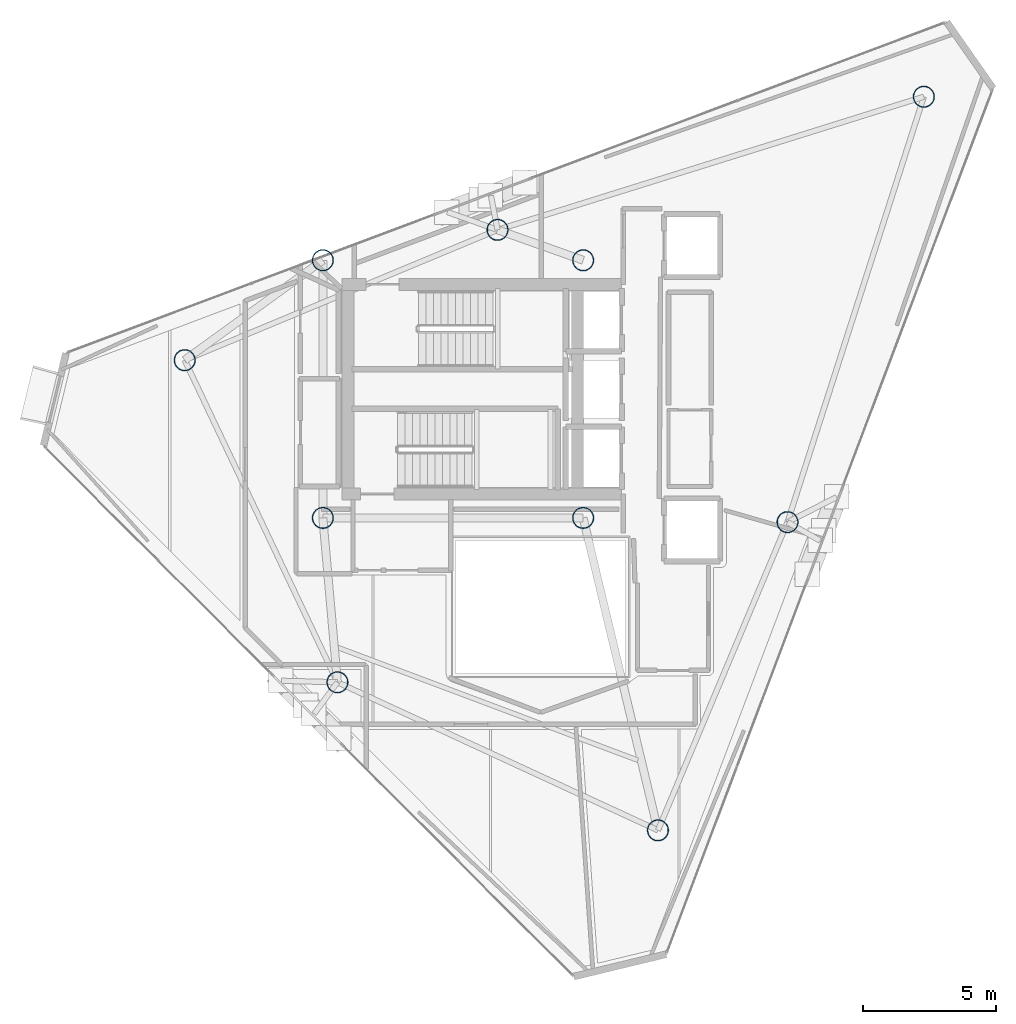
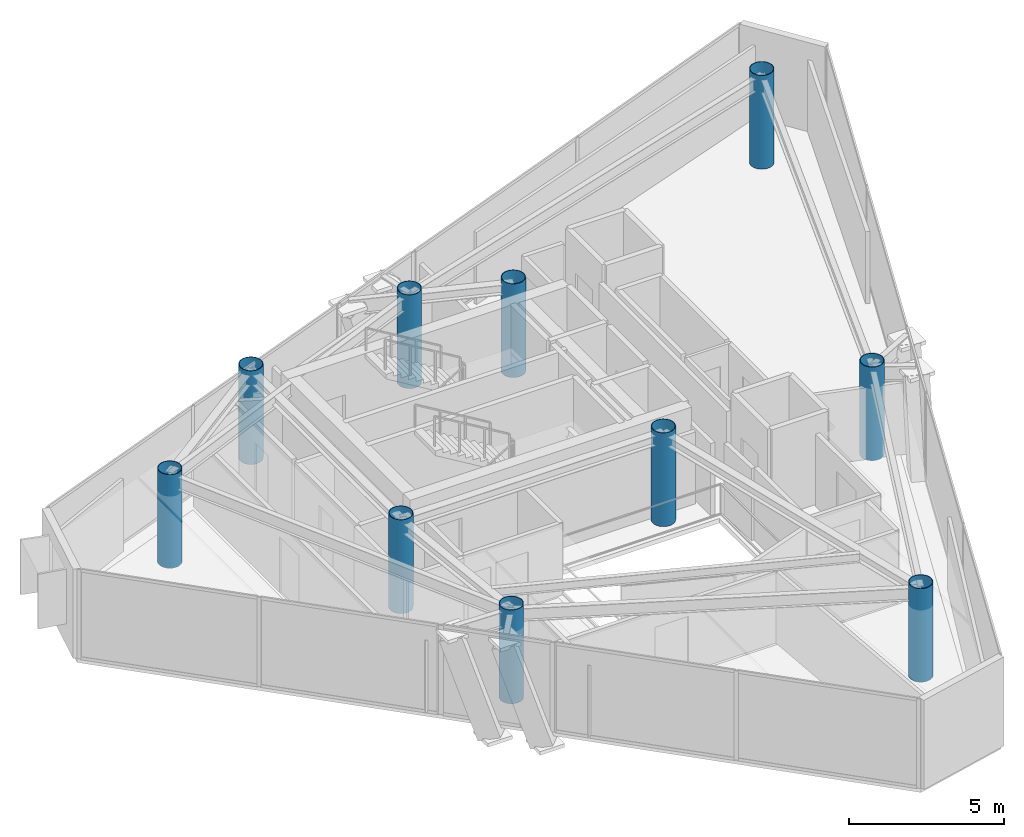
# One storey, part 1 of 19: 10 columns.
"""IFC4 building model written with IfcOpenShell, lengths in metres."""

from ifc_helpers import new_model, si_unit, direction, frame, origin, origin_2d, place, context, subcontext, project, spatial, hollow_circle, extrude, material, material_profile, profile_set, type_object, element, save


model = new_model("IFC4")

# Units and contexts
model_context = context("Model", 3, precision=1e-05, world=origin(), true_north=direction((0.0, 1.0)))
body_context = subcontext(model_context, "Body", "Model", "MODEL_VIEW")
ifc_project = project(units=[si_unit("LENGTHUNIT", "METRE"), si_unit("AREAUNIT", "SQUARE_METRE"), si_unit("VOLUMEUNIT", "CUBIC_METRE"), si_unit("PLANEANGLEUNIT", "RADIAN"), si_unit("MASSUNIT", "GRAM", prefix="KILO")], contexts=[model_context])

# Site, building, storey
site_placement = place(None, origin())
site = spatial("IfcSite", under=ifc_project, at=site_placement, CompositionType="ELEMENT")
building_placement = place(site_placement, origin())
building = spatial("IfcBuilding", under=site, at=building_placement, Name="Qianvela Tower", CompositionType="ELEMENT")
storey_placement = place(building_placement, frame((0.0, 0.0, 340.699951171875)))
storey = spatial("IfcBuildingStorey", under=building, at=storey_placement, Name="L88", CompositionType="ELEMENT", Elevation=340.699951171875)

# Columns
ifc_material = material(Name="Steel Q420GJC", Category="steel")
ifc_material_profile = material_profile(ifc_material, hollow_circle(Radius=0.39990234375, WallThickness=0.02197265625, at=origin_2d()), Name="CFT-800x22")
ifc_profile_set = profile_set([ifc_material_profile], Name="Steel Q420GJC")
column_type = type_object("IfcColumnType", Name="COL-CFT-800x22", PredefinedType="COLUMN", material=ifc_profile_set)
for number, where, z_axis, x_axis, name in (
    (1, (28.60009765625, 33.550048828125, 0.0), (0.0, 0.0, 1.0), (1.0, 0.0, 0.0), "L88 Core Corner Mega-Column CC-NW"),
    (2, (28.60009765625, 23.85009765625, 0.0), (0.0, 0.0, 1.0), (1.0, 0.0, 0.0), "L88 Core Corner Mega-Column CC-SW"),
    (3, (38.39990234375, 33.550048828125, 0.0), (0.0, 0.0, 1.0), (1.0, 0.0, 0.0), "L88 Core Corner Mega-Column CC-NE"),
    (4, (38.39990234375, 23.85009765625, 0.0), (0.0, 0.0, 1.0), (1.0, 0.0, 0.0), "L88 Core Corner Mega-Column CC-SE"),
    (5, (51.22705078125, 39.7080078125, 0.0), (0.0, 0.0, 1.0), (1.0, 0.0, 0.0), "L88 Zone Z8 CFT Mega-Column C1"),
    (6, (35.177001953125, 34.695068359375, 0.0), (0.0, 0.0, 1.0), (1.0, 0.0, 0.0), "L88 Zone Z8 CFT Mega-Column C2"),
    (7, (23.39990234375, 29.7890625, 0.0), (0.0, 0.0, 1.0), (1.0, 0.0, 0.0), "L88 Zone Z8 CFT Mega-Column C3"),
    (8, (29.14990234375, 17.662109375, 0.0), (0.0, 0.0, 1.0), (1.0, 0.0, 0.0), "L88 Zone Z8 CFT Mega-Column C4"),
    (9, (41.217041015625, 12.087890625, 0.0), (0.0, 0.0, 1.0), (1.0, 0.0, 0.0), "L88 Zone Z8 CFT Mega-Column C5"),
    (10, (46.094970703125, 23.69091796875, 0.0), (0.0, 0.0, 1.0), (1.0, 0.0, 0.0), "L88 Zone Z8 CFT Mega-Column C6"),
):
    element("IfcColumn", number, at=place(storey_placement, frame(where, z_axis=z_axis, x_axis=x_axis)), inside=storey, type_object=column_type, Name=name, PredefinedType="COLUMN", context=body_context, shape_type="SweptSolid", body=[
        extrude(hollow_circle(Radius=0.39990234375, WallThickness=0.02197265625, at=origin_2d()), origin(), (0.0, 0.0, 1.0), 3.699951171875),
    ])

save(model, "model.ifc")
